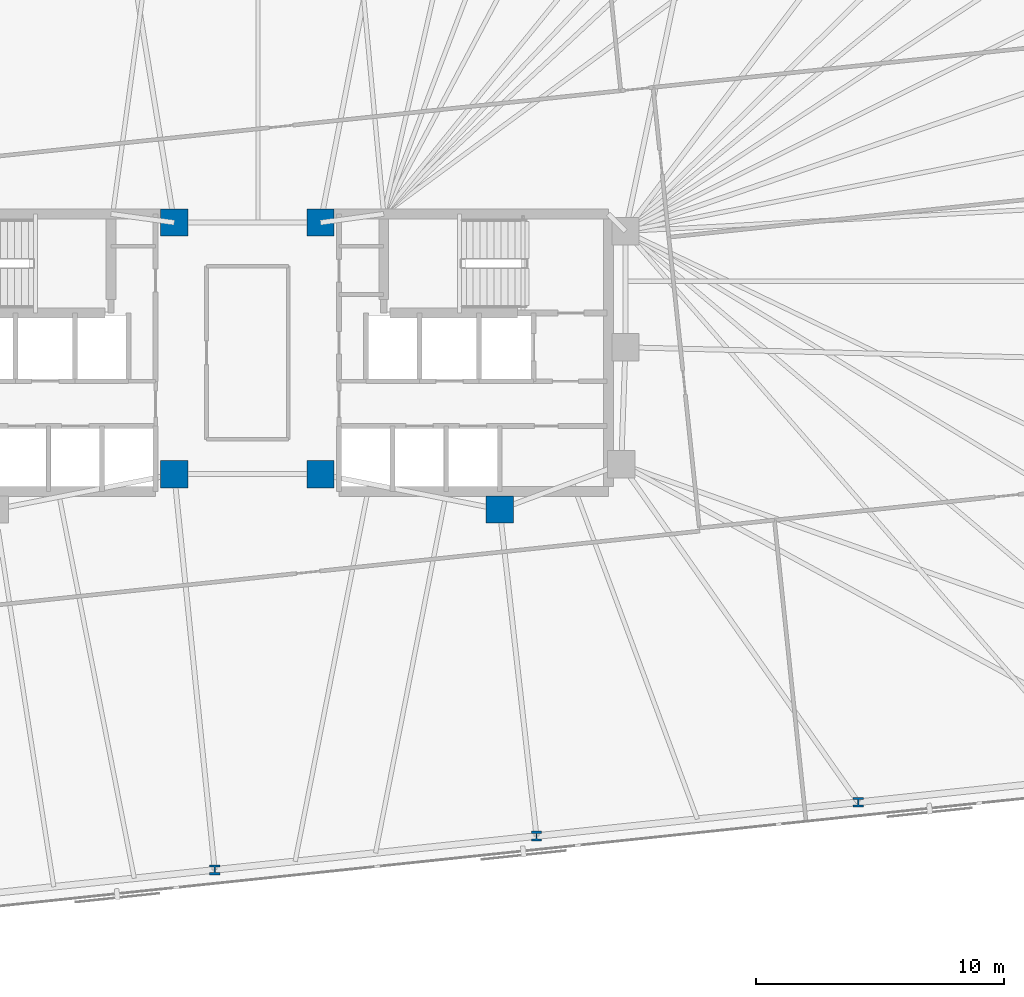
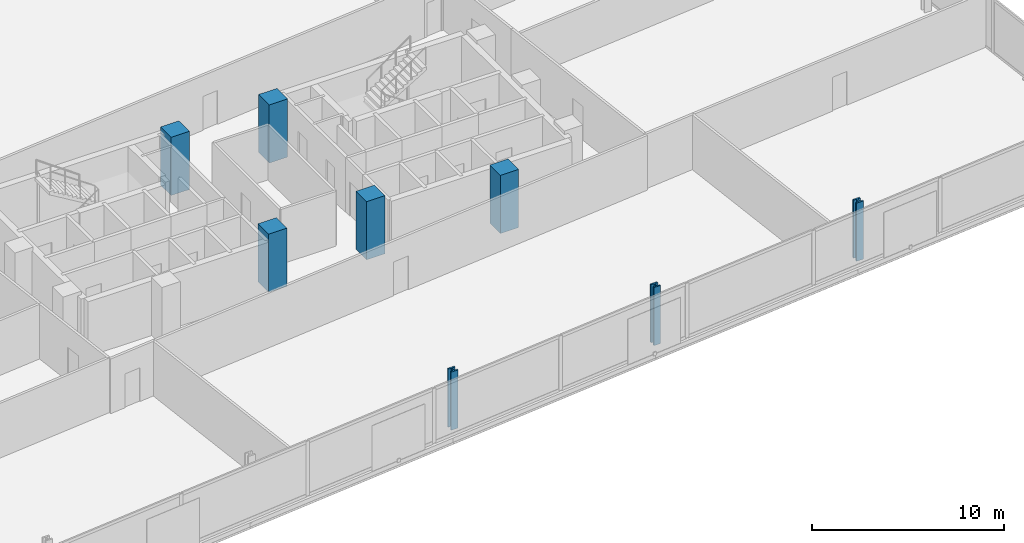
# One storey, part 3 of 18: 8 columns.
"""IFC4 building model written with IfcOpenShell, lengths in metres."""

from ifc_helpers import new_model, si_unit, direction, frame, origin, origin_2d, place, context, subcontext, project, spatial, rectangle, i_section, extrude, material, material_profile, profile_set, type_object, element, save


model = new_model("IFC4")

# Units and contexts
model_context = context("Model", 3, precision=1e-05, world=origin(), true_north=direction((0.0, 1.0)))
body_context = subcontext(model_context, "Body", "Model", "MODEL_VIEW")
ifc_project = project(units=[si_unit("LENGTHUNIT", "METRE"), si_unit("AREAUNIT", "SQUARE_METRE"), si_unit("VOLUMEUNIT", "CUBIC_METRE"), si_unit("PLANEANGLEUNIT", "RADIAN"), si_unit("MASSUNIT", "GRAM", prefix="KILO")], contexts=[model_context])

# Site, building, storey
site_placement = place(None, origin())
site = spatial("IfcSite", under=ifc_project, at=site_placement, CompositionType="ELEMENT")
building_placement = place(site_placement, origin())
building = spatial("IfcBuilding", under=site, at=building_placement, Name="Menara Jurai Vektor", CompositionType="ELEMENT")
storey_placement = place(building_placement, frame((0.0, 0.0, 135.5)))
storey = spatial("IfcBuildingStorey", under=building, at=storey_placement, Name="L34", CompositionType="ELEMENT", Elevation=135.5)

# Columns
ifc_material_1 = material(Name="Concrete C50/60", Category="concrete")
ifc_material_profile_1 = material_profile(ifc_material_1, rectangle(XDim=1.10009765625, YDim=1.10009765625, at=origin_2d()), Name="RC 1100x1100")
ifc_profile_set_1 = profile_set([ifc_material_profile_1], Name="Concrete C50/60")
column_type_1 = type_object("IfcColumnType", Name="STR-COL-RC1100", PredefinedType="COLUMN", material=ifc_profile_set_1)
for number, where, z_axis, x_axis, name in (
    (1, (-2.949951171875, -4.89990234375, 0.0), (0.0, 0.0, 1.0), (1.0, 0.0, 0.0), "Core Spine Column CW-SE L34"),
    (2, (-2.949951171875, 5.25, 0.0), (0.0, 0.0, 1.0), (1.0, 0.0, 0.0), "Core Spine Column CW-NE L34"),
    (3, (10.179931640625, -6.320068359375, 0.0), (0.0, 0.0, 1.0), (1.0, 0.0, 0.0), "Core Spine Column CE-SM L34"),
    (4, (2.949951171875, -4.89990234375, 0.0), (0.0, 0.0, 1.0), (1.0, 0.0, 0.0), "Core Spine Column CE-SW L34"),
    (5, (2.949951171875, 5.25, 0.0), (0.0, 0.0, 1.0), (1.0, 0.0, 0.0), "Core Spine Column CE-NW L34"),
):
    element("IfcColumn", number, at=place(storey_placement, frame(where, z_axis=z_axis, x_axis=x_axis)), inside=storey, type_object=column_type_1, Name=name, PredefinedType="COLUMN", context=body_context, shape_type="SweptSolid", body=[
        extrude(rectangle(XDim=1.10009765625, YDim=1.10009765625, at=origin_2d()), origin(), (0.0, 0.0, 1.0), 3.699951171875),
    ])
ifc_material_2 = material(Name="Steel S460", Category="steel")
ifc_material_profile_2 = material_profile(ifc_material_2, i_section(OverallWidth=0.4130859375, OverallDepth=0.39794921875, WebThickness=0.055908203125, FlangeThickness=0.089111328125, FilletRadius=0.014892578125, at=origin_2d()), Name="HD 400x744")
ifc_profile_set_2 = profile_set([ifc_material_profile_2], Name="Steel S460")
column_type_2 = type_object("IfcColumnType", Name="STR-EXO-BLK2", PredefinedType="COLUMN", material=ifc_profile_set_2)
for number, where, z_axis, x_axis, name in (
    (6, (-1.317138671875, -20.857666015625, 0.0), (0.0, 0.0, 1.0), (1.0, 0.0, 0.0), "Exoskeleton Column BLK2-S3 L34"),
    (7, (11.66259765625, -19.49365234375, 0.0), (0.0, 0.0, 1.0), (1.0, 0.0, 0.0), "Exoskeleton Column BLK2-S4 L34"),
    (8, (24.642333984375, -18.12939453125, 0.0), (0.0, 0.0, 1.0), (1.0, 0.0, 0.0), "Exoskeleton Column BLK2-S5 L34"),
):
    element("IfcColumn", number, at=place(storey_placement, frame(where, z_axis=z_axis, x_axis=x_axis)), inside=storey, type_object=column_type_2, Name=name, PredefinedType="COLUMN", context=body_context, shape_type="SweptSolid", body=[
        extrude(i_section(OverallWidth=0.4130859375, OverallDepth=0.39794921875, WebThickness=0.055908203125, FlangeThickness=0.089111328125, FilletRadius=0.014892578125, at=origin_2d()), origin(), (0.0, 0.0, 1.0), 3.699951171875),
    ])

save(model, "model.ifc")
